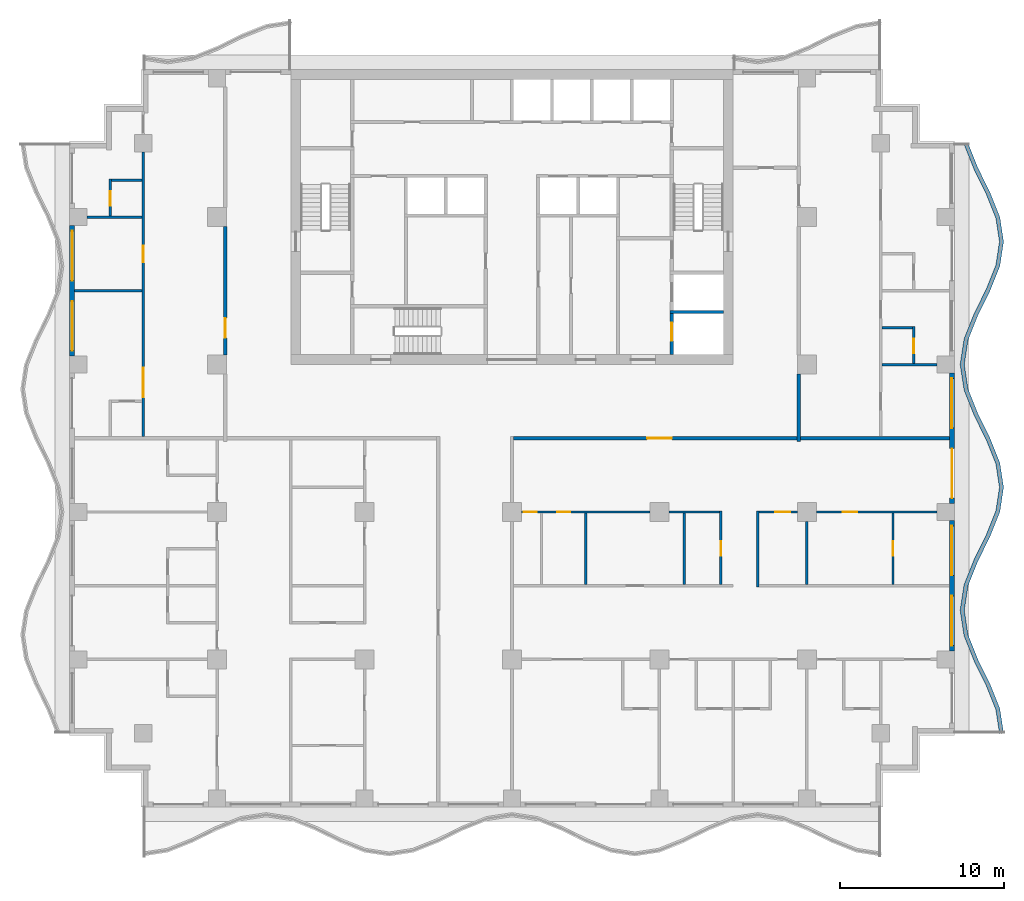
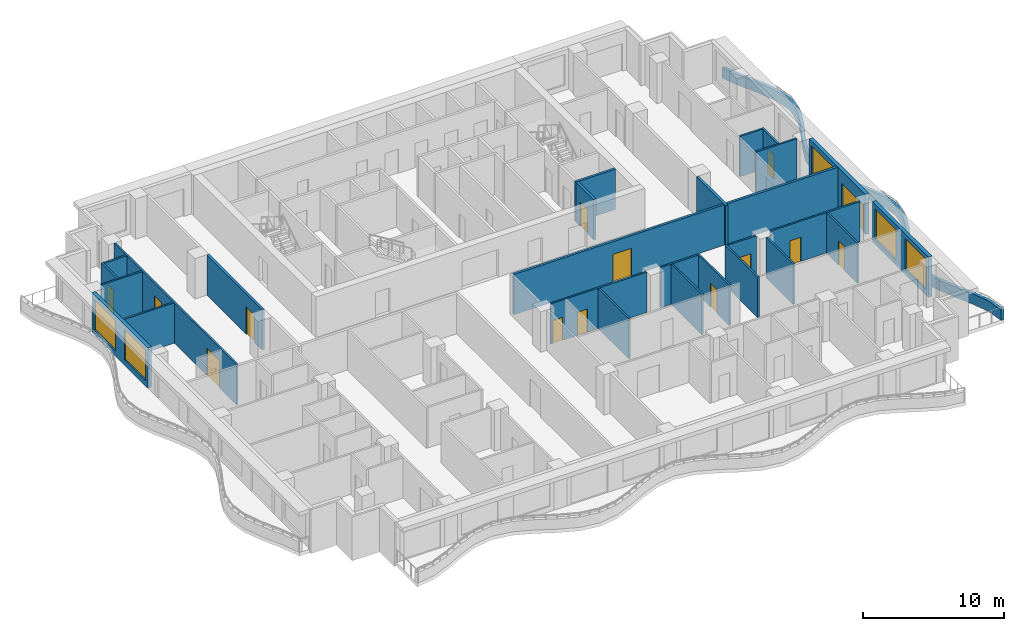
# One storey, part 4 of 11: 28 walls, 14 doors, 5 windows, 19 openings.
"""IFC4 building model written with IfcOpenShell, lengths in metres."""

from ifc_helpers import new_model, si_unit, direction, frame, frame_2d, origin, place, context, subcontext, project, spatial, polyline, rectangle, outline, extrude, material, layer, layer_set, type_object, element, fill, save


model = new_model("IFC4")

# Units and contexts
model_context = context("Model", 3, precision=1e-05, world=origin(), true_north=direction((0.0, 1.0)))
body_context = subcontext(model_context, "Body", "Model", "MODEL_VIEW")
ifc_project = project(units=[si_unit("LENGTHUNIT", "METRE"), si_unit("AREAUNIT", "SQUARE_METRE"), si_unit("VOLUMEUNIT", "CUBIC_METRE"), si_unit("PLANEANGLEUNIT", "RADIAN"), si_unit("MASSUNIT", "GRAM", prefix="KILO")], contexts=[model_context])

# Site, building, storey
site_placement = place(None, origin())
site = spatial("IfcSite", under=ifc_project, at=site_placement, CompositionType="ELEMENT")
building_placement = place(site_placement, origin())
building = spatial("IfcBuilding", under=site, at=building_placement, Name="Orbiselva Terraces", CompositionType="ELEMENT")
storey_placement = place(building_placement, frame((0.0, 0.0, 188.2)))
storey = spatial("IfcBuildingStorey", under=building, at=storey_placement, Name="L47", CompositionType="ELEMENT", Elevation=188.2)

# Wall, opening, door
ifc_material_1 = material(Name="Concrete C60/75", Category="concrete")
ifc_layer_1 = layer(ifc_material_1, 0.2)
ifc_layer_set_1 = layer_set([ifc_layer_1], Name="Concrete C60/75")
wall_type_1 = type_object("IfcWallType", Name="CORE-WALL-SHEAR-200", PredefinedType="SHEAR", material=ifc_layer_set_1)
wall_1_placement = place(storey_placement, frame((9.75, 5.1, 0.0), z_axis=(0.0, 0.0, 1.0), x_axis=(0.0, 1.0, 0.0)))
wall_1 = element("IfcWall", 1, at=wall_1_placement, inside=storey, type_object=wall_type_1, Name="L47 core wall 34", PredefinedType="SHEAR", context=body_context, shape_type="SweptSolid", body=[
    extrude(rectangle(XDim=2.5, YDim=0.2, at=frame_2d((1.25, 0.0))), origin(), (0.0, 0.0, 1.0), 3.5),
])
opening_1_placement = place(wall_1_placement, frame((0.85, 0.0, 0.0)))
opening_1 = element("IfcOpeningElement", 2, at=opening_1_placement, cuts=wall_1, Name="Opening LD-FF1", PredefinedType="OPENING", context=body_context, shape_type="SweptSolid", body=[
    extrude(rectangle(XDim=1.1, YDim=2.1, at=frame_2d((0.55, 1.05))), frame((0.0, 0.11, 0.0), z_axis=(0.0, -1.0, 0.0), x_axis=(1.0, 0.0, 0.0)), (0.0, 0.0, 1.0), 0.22),
])
ifc_material_2 = material(Name="Stainless steel landing door", Category="steel")
door_type_1 = type_object("IfcDoorType", Name="LANDING DOOR 1100", OperationType="SLIDING_TO_LEFT", PredefinedType="DOOR", material=ifc_material_2)
door_1_placement = place(opening_1_placement, origin())
door_1 = element("IfcDoor", 3, at=door_1_placement, inside=storey, type_object=door_type_1, Name="L47 landing door FF1", OperationType="SLIDING_TO_RIGHT", OverallHeight=2.1, OverallWidth=1.1, PredefinedType="DOOR", context=body_context, shape_type="SweptSolid", body=[
    extrude(rectangle(XDim=1.1, YDim=2.1, at=frame_2d((0.55, 1.05))), frame((0.0, 0.025, 0.0), z_axis=(0.0, -1.0, 0.0), x_axis=(1.0, 0.0, 0.0)), (0.0, 0.0, 1.0), 0.05),
])
fill(opening_1, door_1)

# Walls
wall_2_placement = place(storey_placement, frame((9.65, 7.7, 0.0), z_axis=(0.0, 0.0, 1.0), x_axis=(1.0, 0.0, 0.0)))
element("IfcWall", 4, at=wall_2_placement, inside=storey, type_object=wall_type_1, Name="L47 core wall 35", PredefinedType="SHEAR", context=body_context, shape_type="SweptSolid", body=[
    extrude(rectangle(XDim=3.25, YDim=0.2, at=frame_2d((1.625, 0.0))), origin(), (0.0, 0.0, 1.0), 3.5),
])
ifc_material_3 = material(Name="Concrete C40/50", Category="concrete")
ifc_layer_2 = layer(ifc_material_3, 0.25)
ifc_layer_set_2 = layer_set([ifc_layer_2], Name="Concrete C40/50")
wall_type_2 = type_object("IfcWallType", Name="ENV-PLANTER-250x900", PredefinedType="USERDEFINED", material=ifc_layer_set_2)
wall_3_placement = place(storey_placement, origin())
element("IfcWall", 5, at=wall_3_placement, inside=storey, type_object=wall_type_2, Name="Balcony planter L47 E", ObjectType="PLANTER", PredefinedType="USERDEFINED", context=body_context, shape_type="SweptSolid", body=[
    extrude(outline(polyline([(30.0, -18.0), (29.77082, -16.5), (29.17082, -15.0), (28.42918, -13.5), (27.82918, -12.0), (27.6, -10.5), (27.82918, -9.0), (28.42918, -7.5), (29.17082, -6.0), (29.77082, -4.5), (30.0, -3.0), (29.77082, -1.5), (29.17082, 0.0), (28.42918, 1.5), (27.82918, 3.0), (27.6, 4.5), (27.82918, 6.0), (28.42918, 7.5), (29.17082, 9.0), (29.77082, 10.5), (30.0, 12.0), (29.77082, 13.5), (29.17082, 15.0), (28.42918, 16.5), (27.82918, 18.0), (27.597061, 17.907152), (28.200715, 16.398017), (28.942355, 14.898017), (29.528028, 13.433834), (29.747099, 12.0), (29.528028, 10.566166), (28.942355, 9.101983), (28.200715, 7.601983), (27.586388, 6.066166), (27.347099, 4.5), (27.586388, 2.933834), (28.200715, 1.398017), (28.942355, -0.101983), (29.528028, -1.566166), (29.747099, -3.0), (29.528028, -4.433834), (28.942355, -5.898017), (28.200715, -7.398017), (27.586388, -8.933834), (27.347099, -10.5), (27.586388, -12.066166), (28.200715, -13.601983), (28.942355, -15.101983), (29.528028, -16.566166), (29.752868, -18.037758), (30.0, -18.0)])), origin(), (0.0, 0.0, 1.0), 0.9),
])

# Wall, openings, windows
ifc_material_4 = material(Name="Terracotta cladding on masonry backing", Category="masonry")
ifc_layer_3 = layer(ifc_material_4, 0.3)
ifc_layer_set_3 = layer_set([ifc_layer_3], Name="Terracotta cladding on masonry backing")
wall_type_3 = type_object("IfcWallType", Name="ENV-WALL-TERRACOTTA-300", PredefinedType="SOLIDWALL", material=ifc_layer_set_3)
wall_4_placement = place(storey_placement, frame((26.85, -5.025, 0.0), z_axis=(0.0, 0.0, 1.0), x_axis=(0.0, -1.0, 0.0)))
wall_4 = element("IfcWall", 6, at=wall_4_placement, inside=storey, type_object=wall_type_3, Name="Facade wall L47 E", PredefinedType="SOLIDWALL", context=body_context, shape_type="SweptSolid", body=[
    extrude(rectangle(XDim=7.95, YDim=0.3, at=frame_2d((3.975, 0.0))), origin(), (0.0, 0.0, 1.0), 3.5),
])
opening_2_placement = place(wall_4_placement, frame((4.6, 0.0, 0.45)))
opening_2 = element("IfcOpeningElement", 7, at=opening_2_placement, cuts=wall_4, Name="Opening WN14", PredefinedType="OPENING", context=body_context, shape_type="SweptSolid", body=[
    extrude(rectangle(XDim=3.025, YDim=2.65, at=frame_2d((1.5125, 1.325))), frame((0.0, 0.16, 0.0), z_axis=(0.0, -1.0, 0.0), x_axis=(1.0, 0.0, 0.0)), (0.0, 0.0, 1.0), 0.32),
])
opening_3_placement = place(wall_4_placement, frame((0.325, 0.0, 0.45)))
opening_3 = element("IfcOpeningElement", 8, at=opening_3_placement, cuts=wall_4, Name="Opening WN14", PredefinedType="OPENING", context=body_context, shape_type="SweptSolid", body=[
    extrude(rectangle(XDim=3.025, YDim=2.65, at=frame_2d((1.5125, 1.325))), frame((0.0, 0.16, 0.0), z_axis=(0.0, -1.0, 0.0), x_axis=(1.0, 0.0, 0.0)), (0.0, 0.0, 1.0), 0.32),
])
ifc_material_5 = material(Name="Clear low-e glazing in aluminium frame", Category="aluminium")
window_type = type_object("IfcWindowType", Name="WINDOW 3025 X 2650 S450", PartitioningType="TRIPLE_PANEL_VERTICAL", PredefinedType="WINDOW", material=ifc_material_5)
window_1_placement = place(opening_2_placement, origin())
window_1 = element("IfcWindow", 9, at=window_1_placement, inside=storey, type_object=window_type, Name="Window L47 E", OverallHeight=2.65, OverallWidth=3.025, PartitioningType="SINGLE_PANEL", PredefinedType="WINDOW", context=body_context, shape_type="SweptSolid", body=[
    extrude(rectangle(XDim=3.025, YDim=2.65, at=frame_2d((1.5125, 1.325))), frame((0.0, 0.03, 0.0), z_axis=(0.0, -1.0, 0.0), x_axis=(1.0, 0.0, 0.0)), (0.0, 0.0, 1.0), 0.06),
])
fill(opening_2, window_1)
window_2_placement = place(opening_3_placement, origin())
window_2 = element("IfcWindow", 10, at=window_2_placement, inside=storey, type_object=window_type, Name="Window L47 E", OverallHeight=2.65, OverallWidth=3.025, PartitioningType="SINGLE_PANEL", PredefinedType="WINDOW", context=body_context, shape_type="SweptSolid", body=[
    extrude(rectangle(XDim=3.025, YDim=2.65, at=frame_2d((1.5125, 1.325))), frame((0.0, 0.03, 0.0), z_axis=(0.0, -1.0, 0.0), x_axis=(1.0, 0.0, 0.0)), (0.0, 0.0, 1.0), 0.06),
])
fill(opening_3, window_2)

# Wall, openings, door, window
wall_5_placement = place(storey_placement, frame((26.85, 3.975, 0.0), z_axis=(0.0, 0.0, 1.0), x_axis=(0.0, -1.0, 0.0)))
wall_5 = element("IfcWall", 11, at=wall_5_placement, inside=storey, type_object=wall_type_3, Name="Facade wall L47 E", PredefinedType="SOLIDWALL", context=body_context, shape_type="SweptSolid", body=[
    extrude(rectangle(XDim=7.95, YDim=0.3, at=frame_2d((3.975, 0.0))), origin(), (0.0, 0.0, 1.0), 3.5),
])
opening_4_placement = place(wall_5_placement, frame((4.6, 0.0, 0.0)))
opening_4 = element("IfcOpeningElement", 12, at=opening_4_placement, cuts=wall_5, Name="Opening Z4-A-E06", PredefinedType="OPENING", context=body_context, shape_type="SweptSolid", body=[
    extrude(rectangle(XDim=3.025, YDim=2.4, at=frame_2d((1.5125, 1.2))), frame((0.0, 0.16, 0.0), z_axis=(0.0, -1.0, 0.0), x_axis=(1.0, 0.0, 0.0)), (0.0, 0.0, 1.0), 0.32),
])
opening_5_placement = place(wall_5_placement, frame((0.325, 0.0, 0.45)))
opening_5 = element("IfcOpeningElement", 13, at=opening_5_placement, cuts=wall_5, Name="Opening WN14", PredefinedType="OPENING", context=body_context, shape_type="SweptSolid", body=[
    extrude(rectangle(XDim=3.025, YDim=2.65, at=frame_2d((1.5125, 1.325))), frame((0.0, 0.16, 0.0), z_axis=(0.0, -1.0, 0.0), x_axis=(1.0, 0.0, 0.0)), (0.0, 0.0, 1.0), 0.32),
])
door_type_2 = type_object("IfcDoorType", Name="BALCONY DOOR 3025 X 2400", OperationType="DOUBLE_DOOR_SLIDING", PredefinedType="DOOR", material=ifc_material_5)
door_2_placement = place(opening_4_placement, origin())
door_2 = element("IfcDoor", 14, at=door_2_placement, inside=storey, type_object=door_type_2, Name="Z4-A-E06", OperationType="SINGLE_SWING_LEFT", OverallHeight=2.4, OverallWidth=3.025, PredefinedType="DOOR", context=body_context, shape_type="SweptSolid", body=[
    extrude(rectangle(XDim=3.025, YDim=2.4, at=frame_2d((1.5125, 1.2))), frame((0.0, 0.025, 0.0), z_axis=(0.0, -1.0, 0.0), x_axis=(1.0, 0.0, 0.0)), (0.0, 0.0, 1.0), 0.05),
])
fill(opening_4, door_2)
window_3_placement = place(opening_5_placement, origin())
window_3 = element("IfcWindow", 15, at=window_3_placement, inside=storey, type_object=window_type, Name="Window L47 E", OverallHeight=2.65, OverallWidth=3.025, PartitioningType="SINGLE_PANEL", PredefinedType="WINDOW", context=body_context, shape_type="SweptSolid", body=[
    extrude(rectangle(XDim=3.025, YDim=2.65, at=frame_2d((1.5125, 1.325))), frame((0.0, 0.03, 0.0), z_axis=(0.0, -1.0, 0.0), x_axis=(1.0, 0.0, 0.0)), (0.0, 0.0, 1.0), 0.06),
])
fill(opening_5, window_3)

# Wall, openings, windows
wall_6_placement = place(storey_placement, frame((-26.85, 5.025, 0.0), z_axis=(0.0, 0.0, 1.0), x_axis=(0.0, 1.0, 0.0)))
wall_6 = element("IfcWall", 16, at=wall_6_placement, inside=storey, type_object=wall_type_3, Name="Facade wall L47 W", PredefinedType="SOLIDWALL", context=body_context, shape_type="SweptSolid", body=[
    extrude(rectangle(XDim=7.95, YDim=0.3, at=frame_2d((3.975, 0.0))), origin(), (0.0, 0.0, 1.0), 3.5),
])
opening_6_placement = place(wall_6_placement, frame((4.6, 0.0, 0.45)))
opening_6 = element("IfcOpeningElement", 17, at=opening_6_placement, cuts=wall_6, Name="Opening WN14", PredefinedType="OPENING", context=body_context, shape_type="SweptSolid", body=[
    extrude(rectangle(XDim=3.025, YDim=2.65, at=frame_2d((1.5125, 1.325))), frame((0.0, 0.16, 0.0), z_axis=(0.0, -1.0, 0.0), x_axis=(1.0, 0.0, 0.0)), (0.0, 0.0, 1.0), 0.32),
])
opening_7_placement = place(wall_6_placement, frame((0.325, 0.0, 0.45)))
opening_7 = element("IfcOpeningElement", 18, at=opening_7_placement, cuts=wall_6, Name="Opening WN14", PredefinedType="OPENING", context=body_context, shape_type="SweptSolid", body=[
    extrude(rectangle(XDim=3.025, YDim=2.65, at=frame_2d((1.5125, 1.325))), frame((0.0, 0.16, 0.0), z_axis=(0.0, -1.0, 0.0), x_axis=(1.0, 0.0, 0.0)), (0.0, 0.0, 1.0), 0.32),
])
window_4_placement = place(opening_6_placement, origin())
window_4 = element("IfcWindow", 19, at=window_4_placement, inside=storey, type_object=window_type, Name="Window L47 W", OverallHeight=2.65, OverallWidth=3.025, PartitioningType="SINGLE_PANEL", PredefinedType="WINDOW", context=body_context, shape_type="SweptSolid", body=[
    extrude(rectangle(XDim=3.025, YDim=2.65, at=frame_2d((1.5125, 1.325))), frame((0.0, 0.03, 0.0), z_axis=(0.0, -1.0, 0.0), x_axis=(1.0, 0.0, 0.0)), (0.0, 0.0, 1.0), 0.06),
])
fill(opening_6, window_4)
window_5_placement = place(opening_7_placement, origin())
window_5 = element("IfcWindow", 20, at=window_5_placement, inside=storey, type_object=window_type, Name="Window L47 W", OverallHeight=2.65, OverallWidth=3.025, PartitioningType="SINGLE_PANEL", PredefinedType="WINDOW", context=body_context, shape_type="SweptSolid", body=[
    extrude(rectangle(XDim=3.025, YDim=2.65, at=frame_2d((1.5125, 1.325))), frame((0.0, 0.03, 0.0), z_axis=(0.0, -1.0, 0.0), x_axis=(1.0, 0.0, 0.0)), (0.0, 0.0, 1.0), 0.06),
])
fill(opening_7, window_5)

# Wall, opening, door
ifc_material_6 = material(Name="Plasterboard on steel stud partition", Category="steel")
ifc_layer_4 = layer(ifc_material_6, 0.2)
ifc_layer_set_4 = layer_set([ifc_layer_4], Name="Plasterboard on steel stud partition")
wall_type_4 = type_object("IfcWallType", Name="UNIT-ENTRANCE-WALL-200", PredefinedType="PARTITIONING", material=ifc_layer_set_4)
wall_7_placement = place(storey_placement, frame((17.4, 0.0, 0.0), z_axis=(0.0, 0.0, 1.0), x_axis=(-1.0, 0.0, 0.0)))
wall_7 = element("IfcWall", 21, at=wall_7_placement, inside=storey, type_object=wall_type_4, Name="PARTITION L47-028", PredefinedType="PARTITIONING", context=body_context, shape_type="SweptSolid", body=[
    extrude(rectangle(XDim=17.3, YDim=0.2, at=frame_2d((8.65, 0.0))), origin(), (0.0, 0.0, 1.0), 3.5),
])
opening_8_placement = place(wall_7_placement, frame((7.65, 0.0, 0.0)))
opening_8 = element("IfcOpeningElement", 22, at=opening_8_placement, cuts=wall_7, Name="Opening Z4-A-28", PredefinedType="OPENING", context=body_context, shape_type="SweptSolid", body=[
    extrude(rectangle(XDim=1.5, YDim=2.4, at=frame_2d((0.75, 1.2))), frame((0.0, 0.11, 0.0), z_axis=(0.0, -1.0, 0.0), x_axis=(1.0, 0.0, 0.0)), (0.0, 0.0, 1.0), 0.22),
])
ifc_material_7 = material(Name="Painted timber door leaf", Category="wood")
door_type_3 = type_object("IfcDoorType", Name="ENTRANCE DOUBLE DOOR 1500", OperationType="NOTDEFINED", PredefinedType="DOOR", material=ifc_material_7)
door_3_placement = place(opening_8_placement, origin())
door_3 = element("IfcDoor", 23, at=door_3_placement, inside=storey, type_object=door_type_3, Name="Z4-A-28", OperationType="DOUBLE_DOOR_SINGLE_SWING", OverallHeight=2.4, OverallWidth=1.5, PredefinedType="DOOR", context=body_context, shape_type="SweptSolid", body=[
    extrude(rectangle(XDim=1.5, YDim=2.4, at=frame_2d((0.75, 1.2))), frame((0.0, 0.025, 0.0), z_axis=(0.0, -1.0, 0.0), x_axis=(1.0, 0.0, 0.0)), (0.0, 0.0, 1.0), 0.05),
])
fill(opening_8, door_3)

wall_8_placement = place(storey_placement, frame((-17.5, 5.075, 0.0), z_axis=(0.0, 0.0, 1.0), x_axis=(0.0, 1.0, 0.0)))
wall_8 = element("IfcWall", 24, at=wall_8_placement, inside=storey, type_object=wall_type_4, Name="PARTITION L47-051", PredefinedType="PARTITIONING", context=body_context, shape_type="SweptSolid", body=[
    extrude(rectangle(XDim=7.85, YDim=0.2, at=frame_2d((3.925, 0.0))), origin(), (0.0, 0.0, 1.0), 3.5),
])
opening_9_placement = place(wall_8_placement, frame((1.05, 0.0, 0.0)))
opening_9 = element("IfcOpeningElement", 25, at=opening_9_placement, cuts=wall_8, Name="Opening Z4-A-02", PredefinedType="OPENING", context=body_context, shape_type="SweptSolid", body=[
    extrude(rectangle(XDim=1.2, YDim=2.4, at=frame_2d((0.6, 1.2))), frame((0.0, 0.11, 0.0), z_axis=(0.0, -1.0, 0.0), x_axis=(1.0, 0.0, 0.0)), (0.0, 0.0, 1.0), 0.22),
])
door_type_4 = type_object("IfcDoorType", Name="ENTRANCE DOOR 1200", OperationType="NOTDEFINED", PredefinedType="DOOR", material=ifc_material_7)
door_4_placement = place(opening_9_placement, origin())
door_4 = element("IfcDoor", 26, at=door_4_placement, inside=storey, type_object=door_type_4, Name="Z4-A-02", OperationType="SINGLE_SWING_LEFT", OverallHeight=2.4, OverallWidth=1.2, PredefinedType="DOOR", context=body_context, shape_type="SweptSolid", body=[
    extrude(rectangle(XDim=1.2, YDim=2.4, at=frame_2d((0.6, 1.2))), frame((0.0, 0.025, 0.0), z_axis=(0.0, -1.0, 0.0), x_axis=(1.0, 0.0, 0.0)), (0.0, 0.0, 1.0), 0.05),
])
fill(opening_9, door_4)

# Wall
wall_9_placement = place(storey_placement, frame((17.5, -0.2, 0.0), z_axis=(0.0, 0.0, 1.0), x_axis=(0.0, 1.0, 0.0)))
element("IfcWall", 27, at=wall_9_placement, inside=storey, type_object=wall_type_4, Name="PARTITION L47-072", PredefinedType="PARTITIONING", context=body_context, shape_type="SweptSolid", body=[
    extrude(rectangle(XDim=4.125, YDim=0.2, at=frame_2d((2.0625, 0.0))), origin(), (0.0, 0.0, 1.0), 3.5),
])

# Wall, openings, doors
ifc_layer_5 = layer(ifc_material_6, 0.15)
ifc_layer_set_5 = layer_set([ifc_layer_5], Name="Plasterboard on steel stud partition")
wall_type_5 = type_object("IfcWallType", Name="UNIT-PARTITION-150", PredefinedType="PARTITIONING", material=ifc_layer_set_5)
wall_10_placement = place(storey_placement, frame((8.425, -4.5, 0.0), z_axis=(0.0, 0.0, 1.0), x_axis=(-1.0, 0.0, 0.0)))
wall_10 = element("IfcWall", 28, at=wall_10_placement, inside=storey, type_object=wall_type_5, Name="PARTITION L47-021", PredefinedType="PARTITIONING", context=body_context, shape_type="SweptSolid", body=[
    extrude(rectangle(XDim=7.85, YDim=0.15, at=frame_2d((3.925, 0.0))), origin(), (0.0, 0.0, 1.0), 3.5),
])
opening_10_placement = place(wall_10_placement, frame((6.9, 0.0, 0.0)))
opening_10 = element("IfcOpeningElement", 29, at=opening_10_placement, cuts=wall_10, Name="Opening Z4-A-29", PredefinedType="OPENING", context=body_context, shape_type="SweptSolid", body=[
    extrude(rectangle(XDim=0.8, YDim=2.0, at=frame_2d((0.4, 1.0))), frame((0.0, 0.085, 0.0), z_axis=(0.0, -1.0, 0.0), x_axis=(1.0, 0.0, 0.0)), (0.0, 0.0, 1.0), 0.17),
])
opening_11_placement = place(wall_10_placement, frame((4.875, 0.0, 0.0)))
opening_11 = element("IfcOpeningElement", 30, at=opening_11_placement, cuts=wall_10, Name="Opening Z4-A-30", PredefinedType="OPENING", context=body_context, shape_type="SweptSolid", body=[
    extrude(rectangle(XDim=0.8, YDim=2.0, at=frame_2d((0.4, 1.0))), frame((0.0, 0.085, 0.0), z_axis=(0.0, -1.0, 0.0), x_axis=(1.0, 0.0, 0.0)), (0.0, 0.0, 1.0), 0.17),
])
door_type_5 = type_object("IfcDoorType", Name="STORE DOOR 800", OperationType="NOTDEFINED", PredefinedType="DOOR", material=ifc_material_7)
door_5_placement = place(opening_10_placement, origin())
door_5 = element("IfcDoor", 31, at=door_5_placement, inside=storey, type_object=door_type_5, Name="Z4-A-29", OperationType="SINGLE_SWING_RIGHT", OverallHeight=2.0, OverallWidth=0.8, PredefinedType="DOOR", context=body_context, shape_type="SweptSolid", body=[
    extrude(rectangle(XDim=0.8, YDim=2.0, at=frame_2d((0.4, 1.0))), frame((0.0, 0.025, 0.0), z_axis=(0.0, -1.0, 0.0), x_axis=(1.0, 0.0, 0.0)), (0.0, 0.0, 1.0), 0.05),
])
fill(opening_10, door_5)
door_6_placement = place(opening_11_placement, origin())
door_6 = element("IfcDoor", 32, at=door_6_placement, inside=storey, type_object=door_type_5, Name="Z4-A-30", OperationType="SINGLE_SWING_RIGHT", OverallHeight=2.0, OverallWidth=0.8, PredefinedType="DOOR", context=body_context, shape_type="SweptSolid", body=[
    extrude(rectangle(XDim=0.8, YDim=2.0, at=frame_2d((0.4, 1.0))), frame((0.0, 0.025, 0.0), z_axis=(0.0, -1.0, 0.0), x_axis=(1.0, 0.0, 0.0)), (0.0, 0.0, 1.0), 0.05),
])
fill(opening_11, door_6)

# Wall
wall_11_placement = place(storey_placement, frame((9.575, -4.5, 0.0), z_axis=(0.0, 0.0, 1.0), x_axis=(1.0, 0.0, 0.0)))
element("IfcWall", 33, at=wall_11_placement, inside=storey, type_object=wall_type_5, Name="PARTITION L47-022", PredefinedType="PARTITIONING", context=body_context, shape_type="SweptSolid", body=[
    extrude(rectangle(XDim=3.1, YDim=0.15, at=frame_2d((1.55, 0.0))), origin(), (0.0, 0.0, 1.0), 3.5),
])

# Wall, opening, door
wall_12_placement = place(storey_placement, frame((17.425, -4.5, 0.0), z_axis=(0.0, 0.0, 1.0), x_axis=(-1.0, 0.0, 0.0)))
wall_12 = element("IfcWall", 34, at=wall_12_placement, inside=storey, type_object=wall_type_5, Name="PARTITION L47-023", PredefinedType="PARTITIONING", context=body_context, shape_type="SweptSolid", body=[
    extrude(rectangle(XDim=2.35, YDim=0.15, at=frame_2d((1.175, 0.0))), origin(), (0.0, 0.0, 1.0), 3.5),
])
opening_12_placement = place(wall_12_placement, frame((0.45, 0.0, 0.0)))
opening_12 = element("IfcOpeningElement", 35, at=opening_12_placement, cuts=wall_12, Name="Opening Z4-A-33", PredefinedType="OPENING", context=body_context, shape_type="SweptSolid", body=[
    extrude(rectangle(XDim=0.9, YDim=2.1, at=frame_2d((0.45, 1.05))), frame((0.0, 0.085, 0.0), z_axis=(0.0, -1.0, 0.0), x_axis=(1.0, 0.0, 0.0)), (0.0, 0.0, 1.0), 0.17),
])
door_type_6 = type_object("IfcDoorType", Name="SERVICE DOOR 900", OperationType="NOTDEFINED", PredefinedType="DOOR", material=ifc_material_7)
door_7_placement = place(opening_12_placement, origin())
door_7 = element("IfcDoor", 36, at=door_7_placement, inside=storey, type_object=door_type_6, Name="Z4-A-33", OperationType="SINGLE_SWING_LEFT", OverallHeight=2.1, OverallWidth=0.9, PredefinedType="DOOR", context=body_context, shape_type="SweptSolid", body=[
    extrude(rectangle(XDim=0.9, YDim=2.1, at=frame_2d((0.45, 1.05))), frame((0.0, 0.025, 0.0), z_axis=(0.0, -1.0, 0.0), x_axis=(1.0, 0.0, 0.0)), (0.0, 0.0, 1.0), 0.05),
])
fill(opening_12, door_7)

wall_13_placement = place(storey_placement, frame((25.95, -4.5, 0.0), z_axis=(0.0, 0.0, 1.0), x_axis=(-1.0, 0.0, 0.0)))
wall_13 = element("IfcWall", 37, at=wall_13_placement, inside=storey, type_object=wall_type_5, Name="PARTITION L47-024", PredefinedType="PARTITIONING", context=body_context, shape_type="SweptSolid", body=[
    extrude(rectangle(XDim=7.375, YDim=0.15, at=frame_2d((3.6875, 0.0))), origin(), (0.0, 0.0, 1.0), 3.5),
])
opening_13_placement = place(wall_13_placement, frame((4.875, 0.0, 0.0)))
opening_13 = element("IfcOpeningElement", 38, at=opening_13_placement, cuts=wall_13, Name="Opening Z4-A-34", PredefinedType="OPENING", context=body_context, shape_type="SweptSolid", body=[
    extrude(rectangle(XDim=0.9, YDim=2.1, at=frame_2d((0.45, 1.05))), frame((0.0, 0.085, 0.0), z_axis=(0.0, -1.0, 0.0), x_axis=(1.0, 0.0, 0.0)), (0.0, 0.0, 1.0), 0.17),
])
door_8_placement = place(opening_13_placement, origin())
door_8 = element("IfcDoor", 39, at=door_8_placement, inside=storey, type_object=door_type_6, Name="Z4-A-34", OperationType="SINGLE_SWING_RIGHT", OverallHeight=2.1, OverallWidth=0.9, PredefinedType="DOOR", context=body_context, shape_type="SweptSolid", body=[
    extrude(rectangle(XDim=0.9, YDim=2.1, at=frame_2d((0.45, 1.05))), frame((0.0, 0.025, 0.0), z_axis=(0.0, -1.0, 0.0), x_axis=(1.0, 0.0, 0.0)), (0.0, 0.0, 1.0), 0.05),
])
fill(opening_13, door_8)

# Walls
wall_14_placement = place(storey_placement, frame((22.575, 4.5, 0.0), z_axis=(0.0, 0.0, 1.0), x_axis=(1.0, 0.0, 0.0)))
element("IfcWall", 40, at=wall_14_placement, inside=storey, type_object=wall_type_5, Name="PARTITION L47-032", PredefinedType="PARTITIONING", context=body_context, shape_type="SweptSolid", body=[
    extrude(rectangle(XDim=3.375, YDim=0.15, at=frame_2d((1.6875, 0.0))), origin(), (0.0, 0.0, 1.0), 3.5),
])
wall_15_placement = place(storey_placement, frame((22.575, 6.75, 0.0), z_axis=(0.0, 0.0, 1.0), x_axis=(1.0, 0.0, 0.0)))
element("IfcWall", 41, at=wall_15_placement, inside=storey, type_object=wall_type_5, Name="PARTITION L47-033", PredefinedType="PARTITIONING", context=body_context, shape_type="SweptSolid", body=[
    extrude(rectangle(XDim=1.875, YDim=0.15, at=frame_2d((0.9375, 0.0))), origin(), (0.0, 0.0, 1.0), 3.5),
])
wall_16_placement = place(storey_placement, frame((-26.7, 9.0, 0.0), z_axis=(0.0, 0.0, 1.0), x_axis=(1.0, 0.0, 0.0)))
element("IfcWall", 42, at=wall_16_placement, inside=storey, type_object=wall_type_5, Name="PARTITION L47-034", PredefinedType="PARTITIONING", context=body_context, shape_type="SweptSolid", body=[
    extrude(rectangle(XDim=4.125, YDim=0.15, at=frame_2d((2.0625, 0.0))), origin(), (0.0, 0.0, 1.0), 3.5),
])
wall_17_placement = place(storey_placement, frame((-25.95, 13.5, 0.0), z_axis=(0.0, 0.0, 1.0), x_axis=(1.0, 0.0, 0.0)))
element("IfcWall", 43, at=wall_17_placement, inside=storey, type_object=wall_type_5, Name="PARTITION L47-037", PredefinedType="PARTITIONING", context=body_context, shape_type="SweptSolid", body=[
    extrude(rectangle(XDim=3.375, YDim=0.15, at=frame_2d((1.6875, 0.0))), origin(), (0.0, 0.0, 1.0), 3.5),
])
wall_18_placement = place(storey_placement, frame((-24.45, 15.75, 0.0), z_axis=(0.0, 0.0, 1.0), x_axis=(1.0, 0.0, 0.0)))
element("IfcWall", 44, at=wall_18_placement, inside=storey, type_object=wall_type_5, Name="PARTITION L47-038", PredefinedType="PARTITIONING", context=body_context, shape_type="SweptSolid", body=[
    extrude(rectangle(XDim=1.875, YDim=0.15, at=frame_2d((0.9375, 0.0))), origin(), (0.0, 0.0, 1.0), 3.5),
])

# Wall, opening, door
wall_19_placement = place(storey_placement, frame((-24.525, 15.825, 0.0), z_axis=(0.0, 0.0, 1.0), x_axis=(0.0, -1.0, 0.0)))
wall_19 = element("IfcWall", 45, at=wall_19_placement, inside=storey, type_object=wall_type_5, Name="PARTITION L47-041", PredefinedType="PARTITIONING", context=body_context, shape_type="SweptSolid", body=[
    extrude(rectangle(XDim=2.25, YDim=0.15, at=frame_2d((1.125, 0.0))), origin(), (0.0, 0.0, 1.0), 3.5),
])
opening_14_placement = place(wall_19_placement, frame((0.75, 0.0, 0.0)))
opening_14 = element("IfcOpeningElement", 46, at=opening_14_placement, cuts=wall_19, Name="Opening Z4-A-07", PredefinedType="OPENING", context=body_context, shape_type="SweptSolid", body=[
    extrude(rectangle(XDim=0.9, YDim=2.1, at=frame_2d((0.45, 1.05))), frame((0.0, 0.085, 0.0), z_axis=(0.0, -1.0, 0.0), x_axis=(1.0, 0.0, 0.0)), (0.0, 0.0, 1.0), 0.17),
])
door_type_7 = type_object("IfcDoorType", Name="BATH DOOR 900", OperationType="NOTDEFINED", PredefinedType="DOOR", material=ifc_material_7)
door_9_placement = place(opening_14_placement, origin())
door_9 = element("IfcDoor", 47, at=door_9_placement, inside=storey, type_object=door_type_7, Name="Z4-A-07", OperationType="SINGLE_SWING_RIGHT", OverallHeight=2.1, OverallWidth=0.9, PredefinedType="DOOR", context=body_context, shape_type="SweptSolid", body=[
    extrude(rectangle(XDim=0.9, YDim=2.1, at=frame_2d((0.45, 1.05))), frame((0.0, 0.025, 0.0), z_axis=(0.0, -1.0, 0.0), x_axis=(1.0, 0.0, 0.0)), (0.0, 0.0, 1.0), 0.05),
])
fill(opening_14, door_9)

# Wall, openings, doors
wall_20_placement = place(storey_placement, frame((-22.5, 0.1, 0.0), z_axis=(0.0, 0.0, 1.0), x_axis=(0.0, 1.0, 0.0)))
wall_20 = element("IfcWall", 48, at=wall_20_placement, inside=storey, type_object=wall_type_5, Name="PARTITION L47-042", PredefinedType="PARTITIONING", context=body_context, shape_type="SweptSolid", body=[
    extrude(rectangle(XDim=17.375, YDim=0.15, at=frame_2d((8.6875, 0.0))), origin(), (0.0, 0.0, 1.0), 3.5),
])
opening_15_placement = place(wall_20_placement, frame((2.4, 0.0, 0.0)))
opening_15 = element("IfcOpeningElement", 49, at=opening_15_placement, cuts=wall_20, Name="Opening Z4-A-03", PredefinedType="OPENING", context=body_context, shape_type="SweptSolid", body=[
    extrude(rectangle(XDim=1.8, YDim=2.4, at=frame_2d((0.9, 1.2))), frame((0.0, 0.085, 0.0), z_axis=(0.0, -1.0, 0.0), x_axis=(1.0, 0.0, 0.0)), (0.0, 0.0, 1.0), 0.17),
])
opening_16_placement = place(wall_20_placement, frame((10.65, 0.0, 0.0)))
opening_16 = element("IfcOpeningElement", 50, at=opening_16_placement, cuts=wall_20, Name="Opening Z4-A-05", PredefinedType="OPENING", context=body_context, shape_type="SweptSolid", body=[
    extrude(rectangle(XDim=1.0, YDim=2.4, at=frame_2d((0.5, 1.2))), frame((0.0, 0.085, 0.0), z_axis=(0.0, -1.0, 0.0), x_axis=(1.0, 0.0, 0.0)), (0.0, 0.0, 1.0), 0.17),
])
door_type_8 = type_object("IfcDoorType", Name="DOUBLE DOOR 1800", OperationType="NOTDEFINED", PredefinedType="DOOR", material=ifc_material_7)
door_10_placement = place(opening_15_placement, origin())
door_10 = element("IfcDoor", 51, at=door_10_placement, inside=storey, type_object=door_type_8, Name="Z4-A-03", OperationType="DOUBLE_DOOR_SINGLE_SWING", OverallHeight=2.4, OverallWidth=1.8, PredefinedType="DOOR", context=body_context, shape_type="SweptSolid", body=[
    extrude(rectangle(XDim=1.8, YDim=2.4, at=frame_2d((0.9, 1.2))), frame((0.0, 0.025, 0.0), z_axis=(0.0, -1.0, 0.0), x_axis=(1.0, 0.0, 0.0)), (0.0, 0.0, 1.0), 0.05),
])
fill(opening_15, door_10)
door_type_9 = type_object("IfcDoorType", Name="ROOM DOOR 1000", OperationType="NOTDEFINED", PredefinedType="DOOR", material=ifc_material_7)
door_11_placement = place(opening_16_placement, origin())
door_11 = element("IfcDoor", 52, at=door_11_placement, inside=storey, type_object=door_type_9, Name="Z4-A-05", OperationType="SINGLE_SWING_RIGHT", OverallHeight=2.4, OverallWidth=1.0, PredefinedType="DOOR", context=body_context, shape_type="SweptSolid", body=[
    extrude(rectangle(XDim=1.0, YDim=2.4, at=frame_2d((0.5, 1.2))), frame((0.0, 0.025, 0.0), z_axis=(0.0, -1.0, 0.0), x_axis=(1.0, 0.0, 0.0)), (0.0, 0.0, 1.0), 0.05),
])
fill(opening_16, door_11)

# Walls
for number, where, z_axis, x_axis, name in (
    (53, (4.5, -8.925, 0.0), (0.0, 0.0, 1.0), (0.0, 1.0, 0.0), "PARTITION L47-063"),
    (54, (10.5, -8.925, 0.0), (0.0, 0.0, 1.0), (0.0, 1.0, 0.0), "PARTITION L47-066"),
):
    element("IfcWall", number, at=place(storey_placement, frame(where, z_axis=z_axis, x_axis=x_axis)), inside=storey, type_object=wall_type_5, Name=name, PredefinedType="PARTITIONING", context=body_context, shape_type="SweptSolid", body=[
        extrude(rectangle(XDim=4.35, YDim=0.15, at=frame_2d((2.175, 0.0))), origin(), (0.0, 0.0, 1.0), 3.5),
    ])

# Wall, opening, door
wall_21_placement = place(storey_placement, frame((12.75, -8.925, 0.0), z_axis=(0.0, 0.0, 1.0), x_axis=(0.0, 1.0, 0.0)))
wall_21 = element("IfcWall", 55, at=wall_21_placement, inside=storey, type_object=wall_type_5, Name="PARTITION L47-068", PredefinedType="PARTITIONING", context=body_context, shape_type="SweptSolid", body=[
    extrude(rectangle(XDim=4.5, YDim=0.15, at=frame_2d((2.25, 0.0))), origin(), (0.0, 0.0, 1.0), 3.5),
])
opening_17_placement = place(wall_21_placement, frame((1.75, 0.0, 0.0)))
opening_17 = element("IfcOpeningElement", 56, at=opening_17_placement, cuts=wall_21, Name="Opening Z4-A-32", PredefinedType="OPENING", context=body_context, shape_type="SweptSolid", body=[
    extrude(rectangle(XDim=0.9, YDim=2.1, at=frame_2d((0.45, 1.05))), frame((0.0, 0.085, 0.0), z_axis=(0.0, -1.0, 0.0), x_axis=(1.0, 0.0, 0.0)), (0.0, 0.0, 1.0), 0.17),
])
door_12_placement = place(opening_17_placement, origin())
door_12 = element("IfcDoor", 57, at=door_12_placement, inside=storey, type_object=door_type_7, Name="Z4-A-32", OperationType="SINGLE_SWING_LEFT", OverallHeight=2.1, OverallWidth=0.9, PredefinedType="DOOR", context=body_context, shape_type="SweptSolid", body=[
    extrude(rectangle(XDim=0.9, YDim=2.1, at=frame_2d((0.45, 1.05))), frame((0.0, 0.025, 0.0), z_axis=(0.0, -1.0, 0.0), x_axis=(1.0, 0.0, 0.0)), (0.0, 0.0, 1.0), 0.05),
])
fill(opening_17, door_12)

# Walls
wall_22_placement = place(storey_placement, frame((15.0, -9.075, 0.0), z_axis=(0.0, 0.0, 1.0), x_axis=(0.0, 1.0, 0.0)))
element("IfcWall", 58, at=wall_22_placement, inside=storey, type_object=wall_type_5, Name="PARTITION L47-070", PredefinedType="PARTITIONING", context=body_context, shape_type="SweptSolid", body=[
    extrude(rectangle(XDim=4.65, YDim=0.15, at=frame_2d((2.325, 0.0))), origin(), (0.0, 0.0, 1.0), 3.5),
])
wall_23_placement = place(storey_placement, frame((18.0, -8.925, 0.0), z_axis=(0.0, 0.0, 1.0), x_axis=(0.0, 1.0, 0.0)))
element("IfcWall", 59, at=wall_23_placement, inside=storey, type_object=wall_type_5, Name="PARTITION L47-077", PredefinedType="PARTITIONING", context=body_context, shape_type="SweptSolid", body=[
    extrude(rectangle(XDim=3.85, YDim=0.15, at=frame_2d((1.925, 0.0))), origin(), (0.0, 0.0, 1.0), 3.5),
])

# Wall, opening, door
wall_24_placement = place(storey_placement, frame((23.25, -4.575, 0.0), z_axis=(0.0, 0.0, 1.0), x_axis=(0.0, -1.0, 0.0)))
wall_24 = element("IfcWall", 60, at=wall_24_placement, inside=storey, type_object=wall_type_5, Name="PARTITION L47-083", PredefinedType="PARTITIONING", context=body_context, shape_type="SweptSolid", body=[
    extrude(rectangle(XDim=4.35, YDim=0.15, at=frame_2d((2.175, 0.0))), origin(), (0.0, 0.0, 1.0), 3.5),
])
opening_18_placement = place(wall_24_placement, frame((1.7, 0.0, 0.0)))
opening_18 = element("IfcOpeningElement", 61, at=opening_18_placement, cuts=wall_24, Name="Opening Z4-A-35", PredefinedType="OPENING", context=body_context, shape_type="SweptSolid", body=[
    extrude(rectangle(XDim=0.9, YDim=2.1, at=frame_2d((0.45, 1.05))), frame((0.0, 0.085, 0.0), z_axis=(0.0, -1.0, 0.0), x_axis=(1.0, 0.0, 0.0)), (0.0, 0.0, 1.0), 0.17),
])
door_13_placement = place(opening_18_placement, origin())
door_13 = element("IfcDoor", 62, at=door_13_placement, inside=storey, type_object=door_type_7, Name="Z4-A-35", OperationType="SINGLE_SWING_LEFT", OverallHeight=2.1, OverallWidth=0.9, PredefinedType="DOOR", context=body_context, shape_type="SweptSolid", body=[
    extrude(rectangle(XDim=0.9, YDim=2.1, at=frame_2d((0.45, 1.05))), frame((0.0, 0.025, 0.0), z_axis=(0.0, -1.0, 0.0), x_axis=(1.0, 0.0, 0.0)), (0.0, 0.0, 1.0), 0.05),
])
fill(opening_18, door_13)

wall_25_placement = place(storey_placement, frame((24.525, 4.575, 0.0), z_axis=(0.0, 0.0, 1.0), x_axis=(0.0, 1.0, 0.0)))
wall_25 = element("IfcWall", 63, at=wall_25_placement, inside=storey, type_object=wall_type_5, Name="PARTITION L47-084", PredefinedType="PARTITIONING", context=body_context, shape_type="SweptSolid", body=[
    extrude(rectangle(XDim=2.25, YDim=0.15, at=frame_2d((1.125, 0.0))), origin(), (0.0, 0.0, 1.0), 3.5),
])
opening_19_placement = place(wall_25_placement, frame((0.6, 0.0, 0.0)))
opening_19 = element("IfcOpeningElement", 64, at=opening_19_placement, cuts=wall_25, Name="Opening Z4-A-11", PredefinedType="OPENING", context=body_context, shape_type="SweptSolid", body=[
    extrude(rectangle(XDim=0.9, YDim=2.1, at=frame_2d((0.45, 1.05))), frame((0.0, 0.085, 0.0), z_axis=(0.0, -1.0, 0.0), x_axis=(1.0, 0.0, 0.0)), (0.0, 0.0, 1.0), 0.17),
])
door_14_placement = place(opening_19_placement, origin())
door_14 = element("IfcDoor", 65, at=door_14_placement, inside=storey, type_object=door_type_7, Name="Z4-A-11", OperationType="SINGLE_SWING_LEFT", OverallHeight=2.1, OverallWidth=0.9, PredefinedType="DOOR", context=body_context, shape_type="SweptSolid", body=[
    extrude(rectangle(XDim=0.9, YDim=2.1, at=frame_2d((0.45, 1.05))), frame((0.0, 0.025, 0.0), z_axis=(0.0, -1.0, 0.0), x_axis=(1.0, 0.0, 0.0)), (0.0, 0.0, 1.0), 0.05),
])
fill(opening_19, door_14)

# Wall
ifc_layer_6 = layer(ifc_material_6, 0.2)
ifc_layer_set_6 = layer_set([ifc_layer_6], Name="Plasterboard on steel stud partition")
wall_type_6 = type_object("IfcWallType", Name="UNIT-PARTY-WALL-200", PredefinedType="PARTITIONING", material=ifc_layer_set_6)
wall_26_placement = place(storey_placement, frame((17.6, 0.0, 0.0), z_axis=(0.0, 0.0, 1.0), x_axis=(1.0, 0.0, 0.0)))
element("IfcWall", 66, at=wall_26_placement, inside=storey, type_object=wall_type_6, Name="PARTITION L47-030", PredefinedType="PARTITIONING", context=body_context, shape_type="SweptSolid", body=[
    extrude(rectangle(XDim=9.1, YDim=0.2, at=frame_2d((4.55, 0.0))), origin(), (0.0, 0.0, 1.0), 3.5),
])

save(model, "model.ifc")
